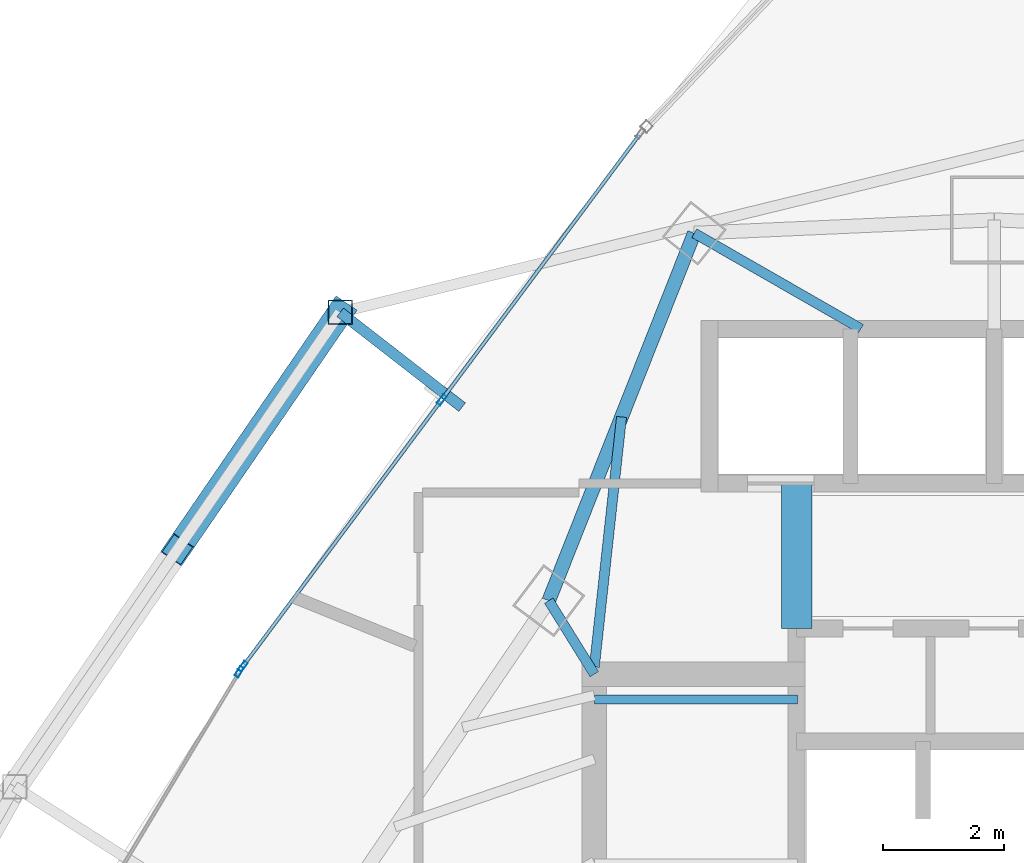
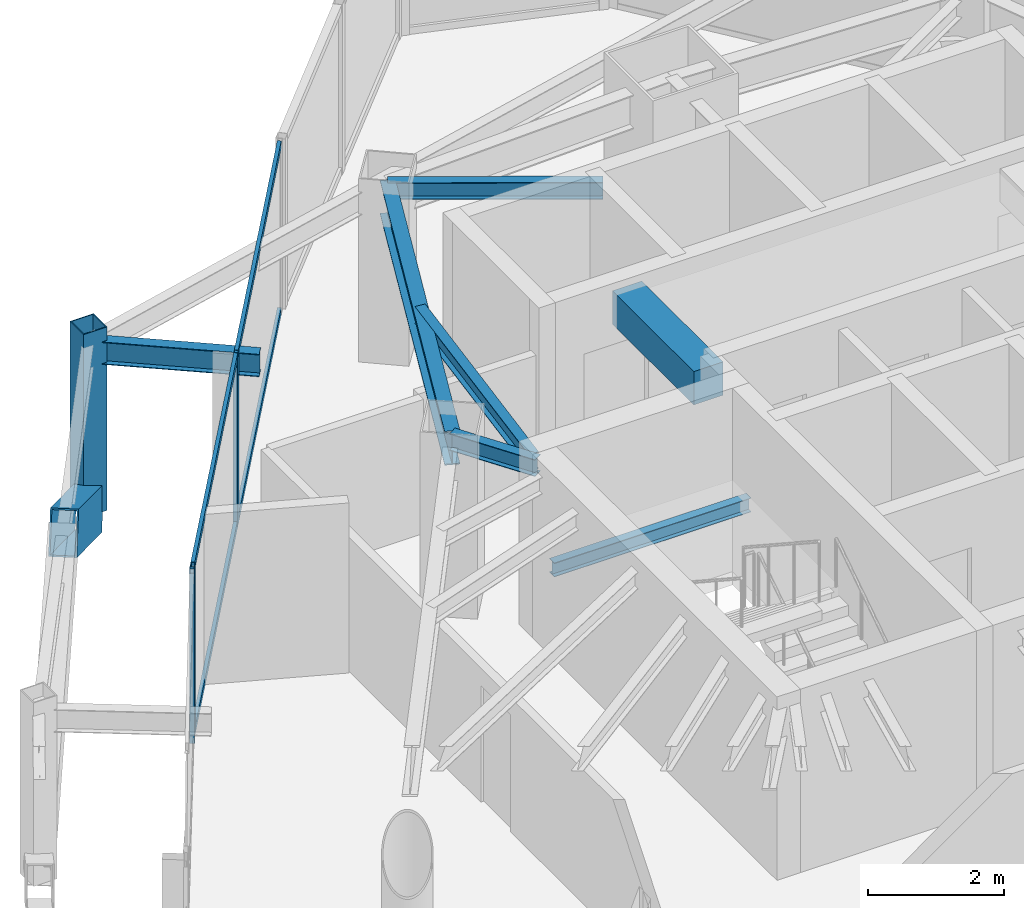
# One storey, part 20 of 31: 9 members, 7 beams, 2 elements without a shape of their own.
"""IFC4 building model written with IfcOpenShell, lengths in metres."""

from ifc_helpers import new_model, si_unit, direction, frame, origin, origin_2d, place, context, subcontext, project, spatial, rectangle, hollow_rectangle, i_section, extrude, material, layer, layer_set, material_profile, profile_set, type_object, element, aggregate, save


model = new_model("IFC4")

# Units and contexts
model_context = context("Model", 3, precision=1e-05, world=origin(), true_north=direction((0.0, 1.0)))
body_context = subcontext(model_context, "Body", "Model", "MODEL_VIEW")
ifc_project = project(units=[si_unit("LENGTHUNIT", "METRE"), si_unit("AREAUNIT", "SQUARE_METRE"), si_unit("VOLUMEUNIT", "CUBIC_METRE"), si_unit("PLANEANGLEUNIT", "RADIAN"), si_unit("MASSUNIT", "GRAM", prefix="KILO")], contexts=[model_context])

# Site, building, storey
site_placement = place(None, origin())
site = spatial("IfcSite", under=ifc_project, at=site_placement, CompositionType="ELEMENT")
building_placement = place(site_placement, origin())
building = spatial("IfcBuilding", under=site, at=building_placement, Name="Orvanel Arch Residences", CompositionType="ELEMENT")
storey_placement = place(building_placement, frame((0.0, 0.0, 150.64990234375)))
storey = spatial("IfcBuildingStorey", under=building, at=storey_placement, Name="L42", CompositionType="ELEMENT", Elevation=150.64990234375)

# Beams
ifc_material_1 = material(Name="Structural steel AS/NZS 3679.1 Grade 300 (300 MPa)", Category="steel")
ifc_material_profile_1 = material_profile(ifc_material_1, i_section(OverallWidth=0.14599609375, OverallDepth=0.251953125, WebThickness=0.006103515625, FlangeThickness=0.008544921875, at=origin_2d()), Name="250UB31.4")
ifc_profile_set_1 = profile_set([ifc_material_profile_1], Name="Structural steel AS/NZS 3679.1 Grade 300 (300 MPa)")
beam_type_1 = type_object("IfcBeamType", Name="BJ-250UB", PredefinedType="JOIST", material=ifc_profile_set_1)
beam_1_placement = place(storey_placement, frame((26.39990234375, 33.47998046875, 1.32421875), z_axis=(1.0, 0.0, 0.0), x_axis=(0.0, 1.0, 0.0)))
element("IfcBeam", 1, at=beam_1_placement, inside=storey, type_object=beam_type_1, Name="L42 ST-1 Half-Landing Support Beam 1.2", PredefinedType="JOIST", context=body_context, shape_type="SweptSolid", body=[
    extrude(i_section(OverallWidth=0.14599609375, OverallDepth=0.251953125, WebThickness=0.006103515625, FlangeThickness=0.008544921875, at=origin_2d()), origin(), (0.0, 0.0, 1.0), 3.35009765625),
])
ifc_material_profile_2 = material_profile(ifc_material_1, i_section(OverallWidth=0.1650390625, OverallDepth=0.303955078125, WebThickness=0.006103515625, FlangeThickness=0.01025390625, at=origin_2d()), Name="310UB40.4")
ifc_profile_set_2 = profile_set([ifc_material_profile_2], Name="Structural steel AS/NZS 3679.1 Grade 300 (300 MPa)")
beam_type_2 = type_object("IfcBeamType", Name="BJ-310UB", PredefinedType="JOIST", material=ifc_profile_set_2)
beam_2_placement = place(storey_placement, frame((26.39990234375, 33.89990234375, 2.908203125), z_axis=(-0.526843290616, 0.84996243866, 0.0), x_axis=(-0.84996243866, -0.526843290616, 0.0)))
element("IfcBeam", 2, at=beam_2_placement, inside=storey, type_object=beam_type_2, Name="L42 NNW Wing Floor Joist", PredefinedType="JOIST", context=body_context, shape_type="SweptSolid", body=[
    extrude(i_section(OverallWidth=0.1650390625, OverallDepth=0.303955078125, WebThickness=0.006103515625, FlangeThickness=0.01025390625, at=origin_2d()), origin(), (0.0, 0.0, 1.0), 1.42724609375),
])
beam_3_placement = place(storey_placement, frame((26.39990234375, 34.02001953125, 2.908203125), z_axis=(0.108261441852, 0.99412245735, 0.0), x_axis=(-0.99412245735, 0.108261441852, 0.0)))
element("IfcBeam", 3, at=beam_3_placement, inside=storey, type_object=beam_type_2, Name="L42 NNW2 Wing Floor Joist", PredefinedType="JOIST", context=body_context, shape_type="SweptSolid", body=[
    extrude(i_section(OverallWidth=0.1650390625, OverallDepth=0.303955078125, WebThickness=0.006103515625, FlangeThickness=0.01025390625, at=origin_2d()), origin(), (0.0, 0.0, 1.0), 4.1494140625),
])
beam_4_placement = place(storey_placement, frame((30.800048828125, 39.60009765625, 2.908203125), z_axis=(-0.86736513383, 0.497672306458, 0.0), x_axis=(-0.497672306458, -0.86736513383, 0.0)))
element("IfcBeam", 4, at=beam_4_placement, inside=storey, type_object=beam_type_2, Name="L42 MNW Wing Floor Joist", PredefinedType="JOIST", context=body_context, shape_type="SweptSolid", body=[
    extrude(i_section(OverallWidth=0.1650390625, OverallDepth=0.303955078125, WebThickness=0.006103515625, FlangeThickness=0.01025390625, at=origin_2d()), origin(), (0.0, 0.0, 1.0), 3.17041015625),
])

# Member
ifc_material_2 = material(Name="Structural steel AS/NZS 3678 Grade 350", Category="steel")
ifc_material_profile_3 = material_profile(ifc_material_2, hollow_rectangle(XDim=0.419921875, YDim=0.719970703125, WallThickness=0.02490234375, at=origin_2d()), Name="RHS720x420x25")
ifc_profile_set_3 = profile_set([ifc_material_profile_3], Name="Structural steel AS/NZS 3678 Grade 350")
member_type_1 = type_object("IfcMemberType", Name="BR-720RHS-EXT", PredefinedType="BRACE", material=ifc_profile_set_3)
member_1_placement = place(storey_placement, frame((22.205078125, 39.8720703125, 0.0), z_axis=(-0.484731924495, -0.70652255419, 0.515616952587), x_axis=(0.824587668142, -0.565734193371, 0.0)))
element("IfcMember", 5, at=member_1_placement, inside=storey, type_object=member_type_1, Name="L42 Exterior Sky-Garden V-Frame Chevron F1B1.1", PredefinedType="BRACE", context=body_context, shape_type="SweptSolid", body=[
    extrude(hollow_rectangle(XDim=0.419921875, YDim=0.719970703125, WallThickness=0.02490234375, at=origin_2d()), origin(), (0.0, 0.0, 1.0), 5.541259765625),
])

# Beam
ifc_material_3 = material(Name="Concrete S65 (65 MPa)", Category="concrete")
ifc_material_profile_4 = material_profile(ifc_material_3, rectangle(XDim=0.5, YDim=0.60009765625, at=origin_2d()), Name="RC500x600")
ifc_profile_set_4 = profile_set([ifc_material_profile_4], Name="Concrete S65 (65 MPa)")
beam_type_3 = type_object("IfcBeamType", Name="CB-500x600", PredefinedType="LINTEL", material=ifc_profile_set_4)
beam_5_placement = place(storey_placement, frame((29.739990234375, 34.64990234375, 2.760009765625), z_axis=(0.0, 1.0, 0.0), x_axis=(-1.0, 0.0, 0.0)))
element("IfcBeam", 6, at=beam_5_placement, inside=storey, type_object=beam_type_3, Name="L42 West Core Lobby Coupling Lintel Beam", PredefinedType="LINTEL", context=body_context, shape_type="SweptSolid", body=[
    extrude(rectangle(XDim=0.5, YDim=0.60009765625, at=origin_2d()), origin(), (0.0, 0.0, 1.0), 2.400146484375),
])

# Curtain wall, members
ifc_material_4 = material(Name="Bronze-anodised aluminium AA6063-T6", Category="aluminium")
ifc_layer = layer(ifc_material_4, 0.179931640625)
ifc_layer_set = layer_set([ifc_layer], Name="Bronze-anodised aluminium AA6063-T6")
curtain_wall_type = type_object("IfcCurtainWallType", Name="CW3-MID-SYS", PredefinedType="NOTDEFINED", material=ifc_layer_set)
curtain_wall_1_placement = place(storey_placement, origin())
curtain_wall_1 = element("IfcCurtainWall", 7, at=curtain_wall_1_placement, inside=storey, type_object=curtain_wall_type, Name="L42 CW3-MID-SYS Unitised Curtain Wall", PredefinedType="NOTDEFINED")
ifc_material_profile_5 = material_profile(ifc_material_4, hollow_rectangle(XDim=0.070068359375, YDim=0.179931640625, WallThickness=0.00439453125, at=origin_2d()), Name="ALU180x70x4.5")
ifc_profile_set_5 = profile_set([ifc_material_profile_5], Name="Bronze-anodised aluminium AA6063-T6")
member_type_2 = type_object("IfcMemberType", Name="MUL-180x70", PredefinedType="MULLION", material=ifc_profile_set_5)
member_2_placement = place(storey_placement, frame((23.880615234375, 38.427001953125, 0.0), z_axis=(0.0, 0.0, 1.0), x_axis=(0.801562009751, -0.597911652775, 0.0)))
member_2 = element("IfcMember", 8, at=member_2_placement, type_object=member_type_2, Name="CW-S3 mullion 2", PredefinedType="MULLION", context=body_context, shape_type="SweptSolid", body=[
    extrude(hollow_rectangle(XDim=0.070068359375, YDim=0.179931640625, WallThickness=0.00439453125, at=origin_2d()), origin(), (0.0, 0.0, 1.0), 3.06005859375),
])
member_3_placement = place(storey_placement, frame((20.599853515625, 34.029052734375, 0.0), z_axis=(0.0, 0.0, 1.0), x_axis=(0.801562009751, -0.597911652775, 0.0)))
member_3 = element("IfcMember", 9, at=member_3_placement, type_object=member_type_2, Name="CW-S3 mullion 3", PredefinedType="MULLION", context=body_context, shape_type="SweptSolid", body=[
    extrude(hollow_rectangle(XDim=0.070068359375, YDim=0.179931640625, WallThickness=0.00439453125, at=origin_2d()), origin(), (0.0, 0.0, 1.0), 3.06005859375),
])

# Curtain wall, member
curtain_wall_2_placement = place(storey_placement, origin())
curtain_wall_2 = element("IfcCurtainWall", 10, at=curtain_wall_2_placement, inside=storey, type_object=curtain_wall_type, Name="L42 CW3-MID-SYS Unitised Curtain Wall", PredefinedType="NOTDEFINED")
member_4_placement = place(storey_placement, frame((20.5390625, 33.93798828125, 0.0), z_axis=(0.0, 0.0, 1.0), x_axis=(0.857541106242, -0.514415446021, 0.0)))
member_4 = element("IfcMember", 11, at=member_4_placement, type_object=member_type_2, Name="CW-S3 mullion 1", PredefinedType="MULLION", context=body_context, shape_type="SweptSolid", body=[
    extrude(hollow_rectangle(XDim=0.070068359375, YDim=0.179931640625, WallThickness=0.00439453125, at=origin_2d()), origin(), (0.0, 0.0, 1.0), 3.06005859375),
])
aggregate(curtain_wall_2, [member_4])

# Beams
ifc_material_profile_6 = material_profile(ifc_material_1, i_section(OverallWidth=0.177978515625, OverallDepth=0.406005859375, WebThickness=0.0078125, FlangeThickness=0.0126953125, at=origin_2d()), Name="410UB59.7")
ifc_profile_set_6 = profile_set([ifc_material_profile_6], Name="Structural steel AS/NZS 3679.1 Grade 300 (300 MPa)")
beam_type_4 = type_object("IfcBeamType", Name="OB-410UB-EXT", PredefinedType="SPANDREL", material=ifc_profile_set_6)
beam_6_placement = place(storey_placement, frame((24.218017578125, 38.306884765625, 2.857177734375), z_axis=(-0.789434700046, 0.613834549666, 0.0), x_axis=(-0.613834549666, -0.789434700046, 0.0)))
element("IfcBeam", 12, at=beam_6_placement, inside=storey, type_object=beam_type_4, Name="L42 Outer Frame Radial Tie Beam 01", PredefinedType="SPANDREL", context=body_context, shape_type="SweptSolid", body=[
    extrude(i_section(OverallWidth=0.177978515625, OverallDepth=0.406005859375, WebThickness=0.0078125, FlangeThickness=0.0126953125, at=origin_2d()), origin(), (0.0, 0.0, 1.0), 2.5498046875),
])
ifc_material_profile_7 = material_profile(ifc_material_1, i_section(OverallWidth=0.22900390625, OverallDepth=0.612060546875, WebThickness=0.011962890625, FlangeThickness=0.01953125, at=origin_2d()), Name="610UB125")
ifc_profile_set_7 = profile_set([ifc_material_profile_7], Name="Structural steel AS/NZS 3679.1 Grade 300 (300 MPa)")
beam_type_5 = type_object("IfcBeamType", Name="SP-610UB", PredefinedType="SPANDREL", material=ifc_profile_set_7)
beam_7_placement = place(storey_placement, frame((28.050048828125, 41.177978515625, 2.754150390625), z_axis=(-0.368233143579, -0.929733484376, 0.0), x_axis=(0.929733484376, -0.368233143579, 0.0)))
element("IfcBeam", 13, at=beam_7_placement, inside=storey, type_object=beam_type_5, Name="L42 Perimeter Spandrel Beam 16", PredefinedType="SPANDREL", context=body_context, shape_type="SweptSolid", body=[
    extrude(i_section(OverallWidth=0.22900390625, OverallDepth=0.612060546875, WebThickness=0.011962890625, FlangeThickness=0.01953125, at=origin_2d()), origin(), (0.0, 0.0, 1.0), 6.523193359375),
])

# Member
ifc_material_5 = material(Name="Structural steel AS/NZS 1163 C450L0 (Grade 450)", Category="steel")
ifc_material_profile_8 = material_profile(ifc_material_5, hollow_rectangle(XDim=0.39990234375, YDim=0.39990234375, WallThickness=0.01611328125, at=origin_2d()), Name="SHS400x400x16")
ifc_profile_set_8 = profile_set([ifc_material_profile_8], Name="Structural steel AS/NZS 1163 C450L0 (Grade 450)")
member_type_3 = type_object("IfcMemberType", Name="ST-400SHS-EXT", PredefinedType="STRUT", material=ifc_profile_set_8)
member_5_placement = place(storey_placement, frame((22.205078125, 39.8720703125, 0.0), z_axis=(0.0, 0.0, 1.0), x_axis=(1.0, 0.0, 0.0)))
element("IfcMember", 14, at=member_5_placement, inside=storey, type_object=member_type_3, Name="L42 Outer Perimeter Frame Post 01", PredefinedType="STRUT", context=body_context, shape_type="SweptSolid", body=[
    extrude(hollow_rectangle(XDim=0.39990234375, YDim=0.39990234375, WallThickness=0.01611328125, at=origin_2d()), origin(), (0.0, 0.0, 1.0), 3.300048828125),
])

ifc_material_profile_9 = material_profile(ifc_material_4, hollow_rectangle(XDim=0.06005859375, YDim=0.135009765625, WallThickness=0.00390625, at=origin_2d()), Name="ALU135x60x4")
ifc_profile_set_9 = profile_set([ifc_material_profile_9], Name="Bronze-anodised aluminium AA6063-T6")
member_type_4 = type_object("IfcMemberType", Name="TRN-135x60", PredefinedType="USERDEFINED", material=ifc_profile_set_9)
member_6_placement = place(storey_placement, frame((27.14013671875, 42.796875, 0.030029296875), z_axis=(-0.597921074434, -0.801554981737, 0.0), x_axis=(0.801554981737, -0.597921074434, 0.0)))
member_6 = element("IfcMember", 15, at=member_6_placement, type_object=member_type_4, Name="CW-S3 transom 1.1", ObjectType="TRANSOM", PredefinedType="USERDEFINED", context=body_context, shape_type="SweptSolid", body=[
    extrude(hollow_rectangle(XDim=0.06005859375, YDim=0.135009765625, WallThickness=0.00390625, at=origin_2d()), origin(), (0.0, 0.0, 1.0), 5.416748046875),
])

member_7_placement = place(storey_placement, frame((27.14013671875, 42.796875, 3.030029296875), z_axis=(-0.597921074434, -0.801554981737, 0.0), x_axis=(0.801554981737, -0.597921074434, 0.0)))
member_7 = element("IfcMember", 16, at=member_7_placement, type_object=member_type_4, Name="CW-S3 transom 1.2", ObjectType="TRANSOM", PredefinedType="USERDEFINED", context=body_context, shape_type="SweptSolid", body=[
    extrude(hollow_rectangle(XDim=0.06005859375, YDim=0.135009765625, WallThickness=0.00390625, at=origin_2d()), origin(), (0.0, 0.0, 1.0), 5.416748046875),
])

member_8_placement = place(storey_placement, frame((23.859619140625, 38.39892578125, 0.030029296875), z_axis=(-0.597921074434, -0.801554981737, 0.0), x_axis=(0.801554981737, -0.597921074434, 0.0)))
member_8 = element("IfcMember", 17, at=member_8_placement, type_object=member_type_4, Name="CW-S3 transom 2.1", ObjectType="TRANSOM", PredefinedType="USERDEFINED", context=body_context, shape_type="SweptSolid", body=[
    extrude(hollow_rectangle(XDim=0.06005859375, YDim=0.135009765625, WallThickness=0.00390625, at=origin_2d()), origin(), (0.0, 0.0, 1.0), 5.416748046875),
])

member_9_placement = place(storey_placement, frame((23.859619140625, 38.39892578125, 3.030029296875), z_axis=(-0.597921074434, -0.801554981737, 0.0), x_axis=(0.801554981737, -0.597921074434, 0.0)))
member_9 = element("IfcMember", 18, at=member_9_placement, type_object=member_type_4, Name="CW-S3 transom 2.2", ObjectType="TRANSOM", PredefinedType="USERDEFINED", context=body_context, shape_type="SweptSolid", body=[
    extrude(hollow_rectangle(XDim=0.06005859375, YDim=0.135009765625, WallThickness=0.00390625, at=origin_2d()), origin(), (0.0, 0.0, 1.0), 5.416748046875),
])

aggregate(curtain_wall_1, [member_2, member_3, member_6, member_7, member_8, member_9])

save(model, "model.ifc")
